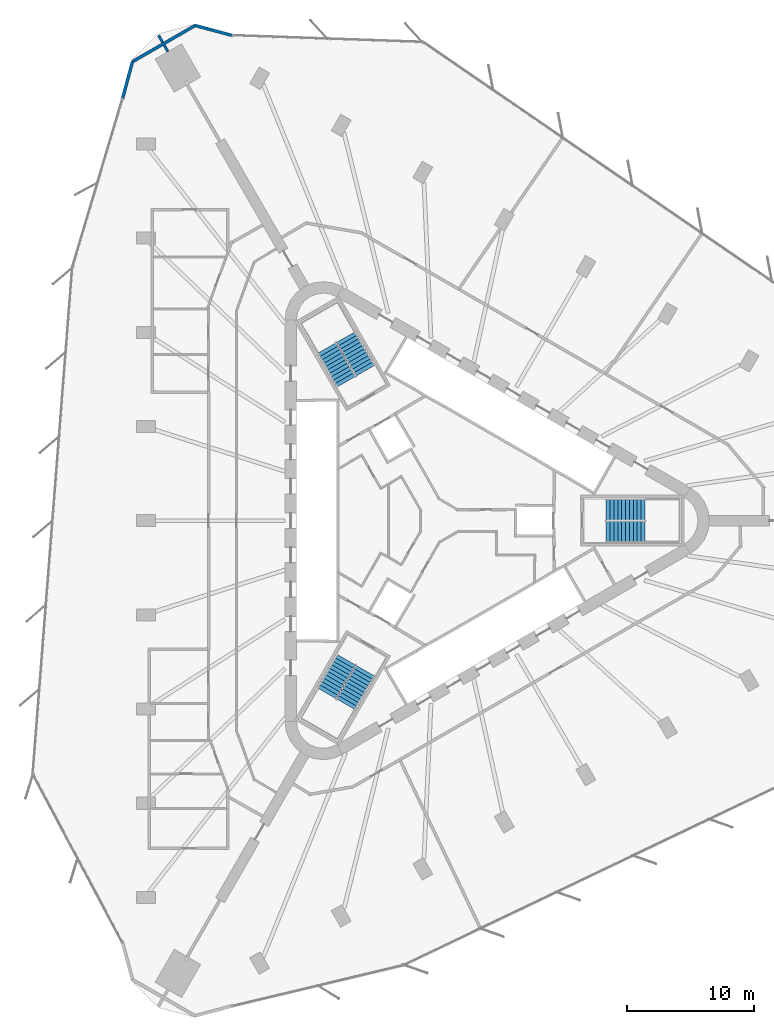
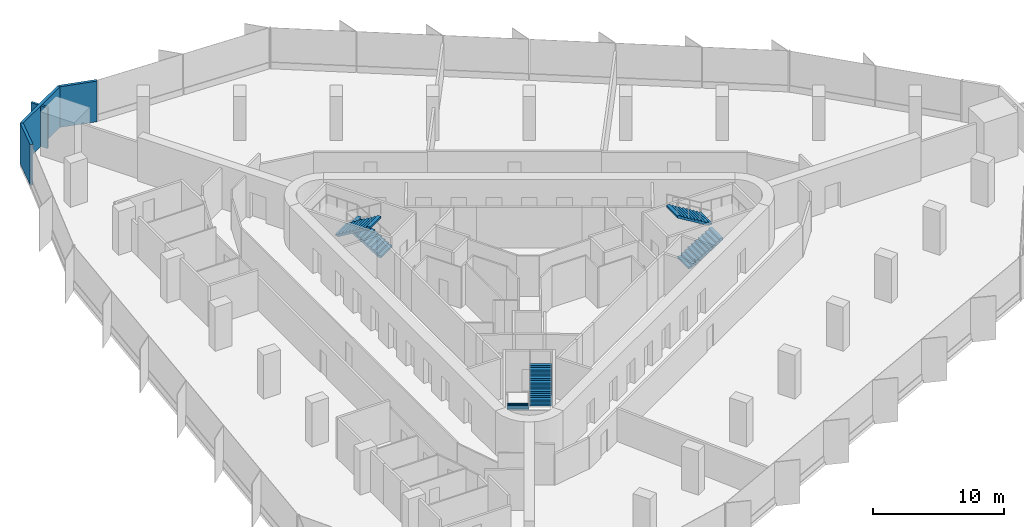
# One storey, part 14 of 15: 6 stair flights, 5 walls, 3 elements without a shape of their own.
"""IFC4 building model written with IfcOpenShell, lengths in metres."""

from ifc_helpers import new_model, si_unit, direction, frame, frame_2d, origin, place, context, subcontext, project, spatial, polyline, rectangle, outline, extrude, material, layer, layer_set, type_object, element, aggregate, save


model = new_model("IFC4")

# Units and contexts
model_context = context("Model", 3, precision=1e-05, world=origin(), true_north=direction((0.0, 1.0)))
body_context = subcontext(model_context, "Body", "Model", "MODEL_VIEW")
ifc_project = project(units=[si_unit("LENGTHUNIT", "METRE"), si_unit("AREAUNIT", "SQUARE_METRE"), si_unit("VOLUMEUNIT", "CUBIC_METRE"), si_unit("PLANEANGLEUNIT", "RADIAN"), si_unit("MASSUNIT", "GRAM", prefix="KILO")], contexts=[model_context])

# Site, building, storey
site_placement = place(None, origin())
site = spatial("IfcSite", under=ifc_project, at=site_placement, CompositionType="ELEMENT")
building_placement = place(site_placement, origin())
building = spatial("IfcBuilding", under=site, at=building_placement, Name="Tanit Gate Tower", CompositionType="ELEMENT")
storey_placement = place(building_placement, frame((0.0, 0.0, 94.699951171875)))
storey = spatial("IfcBuildingStorey", under=building, at=storey_placement, Name="L19", CompositionType="ELEMENT", Elevation=94.699951171875)

# Walls
ifc_material_1 = material(Name="Concrete C30/37 with bronze anodised aluminium cladding", Category="concrete")
ifc_layer_1 = layer(ifc_material_1, 0.239990234375)
ifc_layer_set_1 = layer_set([ifc_layer_1], Name="Facade wall bronze clad 240")
wall_type_1 = type_object("IfcWallType", Name="Facade wall bronze clad 240", PredefinedType="SOLIDWALL", material=ifc_layer_set_1)
wall_1_placement = place(storey_placement, frame((-16.26318359375, 38.09033203125, 0.0), z_axis=(0.0, 0.0, 1.0), x_axis=(-0.965934938286, 0.258785036271, 0.0)))
element("IfcWall", 1, at=wall_1_placement, inside=storey, type_object=wall_type_1, Name="Bronze-clad facade wall L19 NW.arc1", PredefinedType="SOLIDWALL", context=body_context, shape_type="SweptSolid", body=[
    extrude(rectangle(XDim=2.991455078125, YDim=0.239990234375, at=frame_2d((1.49560546875, 0.0))), origin(), (0.0, 0.0, 1.0), 3.800048828125),
])
wall_2_placement = place(storey_placement, frame((-19.15283203125, 38.864501953125, 0.0), z_axis=(0.0, 0.0, 1.0), x_axis=(-0.866024844342, -0.500000968981, 0.0)))
element("IfcWall", 2, at=wall_2_placement, inside=storey, type_object=wall_type_1, Name="Bronze-clad facade wall L19 NW.arc2", PredefinedType="SOLIDWALL", context=body_context, shape_type="SweptSolid", body=[
    extrude(rectangle(XDim=5.69091796875, YDim=0.239990234375, at=frame_2d((2.845458984375, 0.0))), origin(), (0.0, 0.0, 1.0), 3.800048828125),
])
wall_3_placement = place(storey_placement, frame((-24.081298828125, 36.01904296875, 0.0), z_axis=(0.0, 0.0, 1.0), x_axis=(-0.258830280341, -0.965922815746, 0.0)))
element("IfcWall", 3, at=wall_3_placement, inside=storey, type_object=wall_type_1, Name="Bronze-clad facade wall L19 NW.arc3", PredefinedType="SOLIDWALL", context=body_context, shape_type="SweptSolid", body=[
    extrude(rectangle(XDim=2.979736328125, YDim=0.239990234375, at=frame_2d((1.48974609375, 0.0))), origin(), (0.0, 0.0, 1.0), 3.800048828125),
])
ifc_material_2 = material(Name="Fire-rated gypsum board partition")
ifc_layer_2 = layer(ifc_material_2, 0.199951171875)
ifc_layer_set_2 = layer_set([ifc_layer_2], Name="INT-WALL-COMPARTMENT")
wall_type_2 = type_object("IfcWallType", Name="INT-WALL-COMPARTMENT", PredefinedType="PARTITIONING", material=ifc_layer_set_2)
wall_4_placement = place(storey_placement, frame((-21.286376953125, 36.80908203125, 0.0), z_axis=(0.0, 0.0, 1.0), x_axis=(-0.500078724409, 0.865979947454, 0.0)))
element("IfcWall", 4, at=wall_4_placement, inside=storey, type_object=wall_type_2, Name="Wall Compartment W116", PredefinedType="PARTITIONING", context=body_context, shape_type="SweptSolid", body=[
    extrude(rectangle(XDim=0.59326171875, YDim=0.199951171875, at=frame_2d((0.296630859375, 0.0))), origin(), (0.0, 0.0, 1.0), 3.800048828125),
])
wall_5_placement = place(storey_placement, frame((-21.703125, 37.53076171875, 0.0), z_axis=(0.0, 0.0, 1.0), x_axis=(-0.499988999718, 0.866031754707, 0.0)))
element("IfcWall", 5, at=wall_5_placement, inside=storey, type_object=wall_type_2, Name="Wall Compartment W116x1", PredefinedType="PARTITIONING", context=body_context, shape_type="SweptSolid", body=[
    extrude(rectangle(XDim=0.63427734375, YDim=0.199951171875, at=frame_2d((0.317138671875, 0.0))), origin(), (0.0, 0.0, 1.0), 3.800048828125),
])

# Stair, stair flights
ifc_material_3 = material(Name="Concrete C40/50", Category="concrete")
stair_type = type_object("IfcStairType", Name="INT-STAIR-EXIT", PredefinedType="HALF_TURN_STAIR", material=ifc_material_3)
stair_1_placement = place(storey_placement, origin())
stair_1 = element("IfcStair", 6, at=stair_1_placement, inside=storey, type_object=stair_type, Name="L19 STAIR S1", PredefinedType="HALF_TURN_STAIR")
ifc_material_4 = material(Name="Concrete C40/50", Category="concrete")
stair_flight_type = type_object("IfcStairFlightType", Name="INT-STAIR-FLIGHT", PredefinedType="STRAIGHT", material=ifc_material_4)
stair_flight_1_placement = place(storey_placement, frame((13.094970703125, -0.8525390625, 0.0), z_axis=(0.0, 0.0, 1.0), x_axis=(1.0, 0.0, 0.0)))
stair_flight_1 = element("IfcStairFlight", 7, at=stair_flight_1_placement, type_object=stair_flight_type, Name="S1 flight 1", NumberOfRisers=11, NumberOfTreads=10, PredefinedType="STRAIGHT", RiserHeight=0.186363636, TreadLength=0.3051, context=body_context, shape_type="SweptSolid", body=[
    extrude(outline(polyline([(0.0, 0.0), (0.0, 0.186279296875), (0.30517578125, 0.186279296875), (0.30517578125, 0.372802734375), (0.610107421875, 0.372802734375), (0.610107421875, 0.55908203125), (0.915283203125, 0.55908203125), (0.915283203125, 0.745361328125), (1.220458984375, 0.745361328125), (1.220458984375, 0.931884765625), (1.525390625, 0.931884765625), (1.525390625, 1.1181640625), (1.83056640625, 1.1181640625), (1.83056640625, 1.304443359375), (2.1357421875, 1.304443359375), (2.1357421875, 1.490966796875), (2.44091796875, 1.490966796875), (2.44091796875, 1.67724609375), (2.745849609375, 1.67724609375), (2.745849609375, 1.863525390625), (3.051025390625, 1.863525390625), (3.051025390625, 2.050048828125), (3.051025390625, 1.68798828125), (0.28759765625, 0.0), (0.0, 0.0)])), frame((0.0, 0.84765625, 0.0), z_axis=(0.0, -1.0, 0.0), x_axis=(1.0, 0.0, 0.0)), (0.0, 0.0, 1.0), 1.695068359375),
])
stair_flight_2_placement = place(storey_placement, frame((16.14599609375, 0.8525390625, 2.050048828125), z_axis=(0.0, 0.0, 1.0), x_axis=(-1.0, 0.0, 0.0)))
stair_flight_2 = element("IfcStairFlight", 8, at=stair_flight_2_placement, type_object=stair_flight_type, Name="S1 flight 2", NumberOfRisers=11, NumberOfTreads=10, PredefinedType="STRAIGHT", RiserHeight=0.186363636, TreadLength=0.3051, context=body_context, shape_type="SweptSolid", body=[
    extrude(outline(polyline([(0.0, 0.0), (0.0, 0.186279296875), (0.30517578125, 0.186279296875), (0.30517578125, 0.372802734375), (0.610107421875, 0.372802734375), (0.610107421875, 0.55908203125), (0.915283203125, 0.55908203125), (0.915283203125, 0.745361328125), (1.220458984375, 0.745361328125), (1.220458984375, 0.931884765625), (1.525390625, 0.931884765625), (1.525390625, 1.1181640625), (1.83056640625, 1.1181640625), (1.83056640625, 1.304443359375), (2.1357421875, 1.304443359375), (2.1357421875, 1.490966796875), (2.44091796875, 1.490966796875), (2.44091796875, 1.67724609375), (2.745849609375, 1.67724609375), (2.745849609375, 1.863525390625), (3.051025390625, 1.863525390625), (3.051025390625, 2.050048828125), (3.051025390625, 1.68798828125), (0.28759765625, 0.0), (0.0, 0.0)])), frame((0.0, 0.84765625, 0.0), z_axis=(0.0, -1.0, 0.0), x_axis=(1.0, 0.0, 0.0)), (0.0, 0.0, 1.0), 1.695068359375),
])
aggregate(stair_1, [stair_flight_1, stair_flight_2])

stair_2_placement = place(storey_placement, origin())
stair_2 = element("IfcStair", 9, at=stair_2_placement, inside=storey, type_object=stair_type, Name="L19 STAIR S2", PredefinedType="HALF_TURN_STAIR")
stair_flight_3_placement = place(storey_placement, frame((-5.808349609375, 11.766357421875, 0.0), z_axis=(0.0, 0.0, 1.0), x_axis=(-0.5, 0.866025403784, 0.0)))
stair_flight_3 = element("IfcStairFlight", 10, at=stair_flight_3_placement, type_object=stair_flight_type, Name="S2 flight 1", NumberOfRisers=11, NumberOfTreads=10, PredefinedType="STRAIGHT", RiserHeight=0.186363636, TreadLength=0.30492, context=body_context, shape_type="SweptSolid", body=[
    extrude(outline(polyline([(0.0, 0.0), (0.0, 0.186279296875), (0.304931640625, 0.186279296875), (0.304931640625, 0.372802734375), (0.60986328125, 0.372802734375), (0.60986328125, 0.55908203125), (0.914794921875, 0.55908203125), (0.914794921875, 0.745361328125), (1.2197265625, 0.745361328125), (1.2197265625, 0.931884765625), (1.524658203125, 0.931884765625), (1.524658203125, 1.1181640625), (1.82958984375, 1.1181640625), (1.82958984375, 1.304443359375), (2.134521484375, 1.304443359375), (2.134521484375, 1.490966796875), (2.439453125, 1.490966796875), (2.439453125, 1.67724609375), (2.744384765625, 1.67724609375), (2.744384765625, 1.863525390625), (3.04931640625, 1.863525390625), (3.04931640625, 2.050048828125), (3.04931640625, 1.68798828125), (0.287353515625, 0.0), (0.0, 0.0)])), frame((0.0, 0.84716796875, 0.0), z_axis=(0.0, -1.0, 0.0), x_axis=(1.0, 0.0, 0.0)), (0.0, 0.0, 1.0), 1.694091796875),
])
stair_flight_4_placement = place(storey_placement, frame((-8.810302734375, 13.553955078125, 2.050048828125), z_axis=(0.0, 0.0, 1.0), x_axis=(0.5, -0.866025403784, 0.0)))
stair_flight_4 = element("IfcStairFlight", 11, at=stair_flight_4_placement, type_object=stair_flight_type, Name="S2 flight 2", NumberOfRisers=11, NumberOfTreads=10, PredefinedType="STRAIGHT", RiserHeight=0.186363636, TreadLength=0.30492, context=body_context, shape_type="SweptSolid", body=[
    extrude(outline(polyline([(0.0, 0.0), (0.0, 0.186279296875), (0.304931640625, 0.186279296875), (0.304931640625, 0.372802734375), (0.60986328125, 0.372802734375), (0.60986328125, 0.55908203125), (0.914794921875, 0.55908203125), (0.914794921875, 0.745361328125), (1.2197265625, 0.745361328125), (1.2197265625, 0.931884765625), (1.524658203125, 0.931884765625), (1.524658203125, 1.1181640625), (1.82958984375, 1.1181640625), (1.82958984375, 1.304443359375), (2.134521484375, 1.304443359375), (2.134521484375, 1.490966796875), (2.439453125, 1.490966796875), (2.439453125, 1.67724609375), (2.744384765625, 1.67724609375), (2.744384765625, 1.863525390625), (3.04931640625, 1.863525390625), (3.04931640625, 2.050048828125), (3.04931640625, 1.68798828125), (0.287353515625, 0.0), (0.0, 0.0)])), frame((0.0, 0.84716796875, 0.0), z_axis=(0.0, -1.0, 0.0), x_axis=(1.0, 0.0, 0.0)), (0.0, 0.0, 1.0), 1.694091796875),
])
aggregate(stair_2, [stair_flight_3, stair_flight_4])

stair_3_placement = place(storey_placement, origin())
stair_3 = element("IfcStair", 12, at=stair_3_placement, inside=storey, type_object=stair_type, Name="L19 STAIR S3", PredefinedType="HALF_TURN_STAIR")
stair_flight_5_placement = place(storey_placement, frame((-7.285888671875, -10.914306640625, 0.0), z_axis=(0.0, 0.0, 1.0), x_axis=(-0.5, -0.866025403784, 0.0)))
stair_flight_5 = element("IfcStairFlight", 13, at=stair_flight_5_placement, type_object=stair_flight_type, Name="S3 flight 1", NumberOfRisers=11, NumberOfTreads=10, PredefinedType="STRAIGHT", RiserHeight=0.186363636, TreadLength=0.3051, context=body_context, shape_type="SweptSolid", body=[
    extrude(outline(polyline([(0.0, 0.0), (0.0, 0.186279296875), (0.30517578125, 0.186279296875), (0.30517578125, 0.372802734375), (0.610107421875, 0.372802734375), (0.610107421875, 0.55908203125), (0.915283203125, 0.55908203125), (0.915283203125, 0.745361328125), (1.220458984375, 0.745361328125), (1.220458984375, 0.931884765625), (1.525390625, 0.931884765625), (1.525390625, 1.1181640625), (1.83056640625, 1.1181640625), (1.83056640625, 1.304443359375), (2.1357421875, 1.304443359375), (2.1357421875, 1.490966796875), (2.44091796875, 1.490966796875), (2.44091796875, 1.67724609375), (2.745849609375, 1.67724609375), (2.745849609375, 1.863525390625), (3.051025390625, 1.863525390625), (3.051025390625, 2.050048828125), (3.051025390625, 1.68798828125), (0.28759765625, 0.0), (0.0, 0.0)])), frame((0.0, 0.84765625, 0.0), z_axis=(0.0, -1.0, 0.0), x_axis=(1.0, 0.0, 0.0)), (0.0, 0.0, 1.0), 1.695068359375),
])
stair_flight_6_placement = place(storey_placement, frame((-7.334716796875, -14.4091796875, 2.050048828125), z_axis=(0.0, 0.0, 1.0), x_axis=(0.5, 0.866025403784, 0.0)))
stair_flight_6 = element("IfcStairFlight", 14, at=stair_flight_6_placement, type_object=stair_flight_type, Name="S3 flight 2", NumberOfRisers=11, NumberOfTreads=10, PredefinedType="STRAIGHT", RiserHeight=0.186363636, TreadLength=0.3051, context=body_context, shape_type="SweptSolid", body=[
    extrude(outline(polyline([(0.0, 0.0), (0.0, 0.186279296875), (0.30517578125, 0.186279296875), (0.30517578125, 0.372802734375), (0.610107421875, 0.372802734375), (0.610107421875, 0.55908203125), (0.915283203125, 0.55908203125), (0.915283203125, 0.745361328125), (1.220458984375, 0.745361328125), (1.220458984375, 0.931884765625), (1.525390625, 0.931884765625), (1.525390625, 1.1181640625), (1.83056640625, 1.1181640625), (1.83056640625, 1.304443359375), (2.1357421875, 1.304443359375), (2.1357421875, 1.490966796875), (2.44091796875, 1.490966796875), (2.44091796875, 1.67724609375), (2.745849609375, 1.67724609375), (2.745849609375, 1.863525390625), (3.051025390625, 1.863525390625), (3.051025390625, 2.050048828125), (3.051025390625, 1.68798828125), (0.28759765625, 0.0), (0.0, 0.0)])), frame((0.0, 0.84765625, 0.0), z_axis=(0.0, -1.0, 0.0), x_axis=(1.0, 0.0, 0.0)), (0.0, 0.0, 1.0), 1.695068359375),
])
aggregate(stair_3, [stair_flight_5, stair_flight_6])

save(model, "model.ifc")
